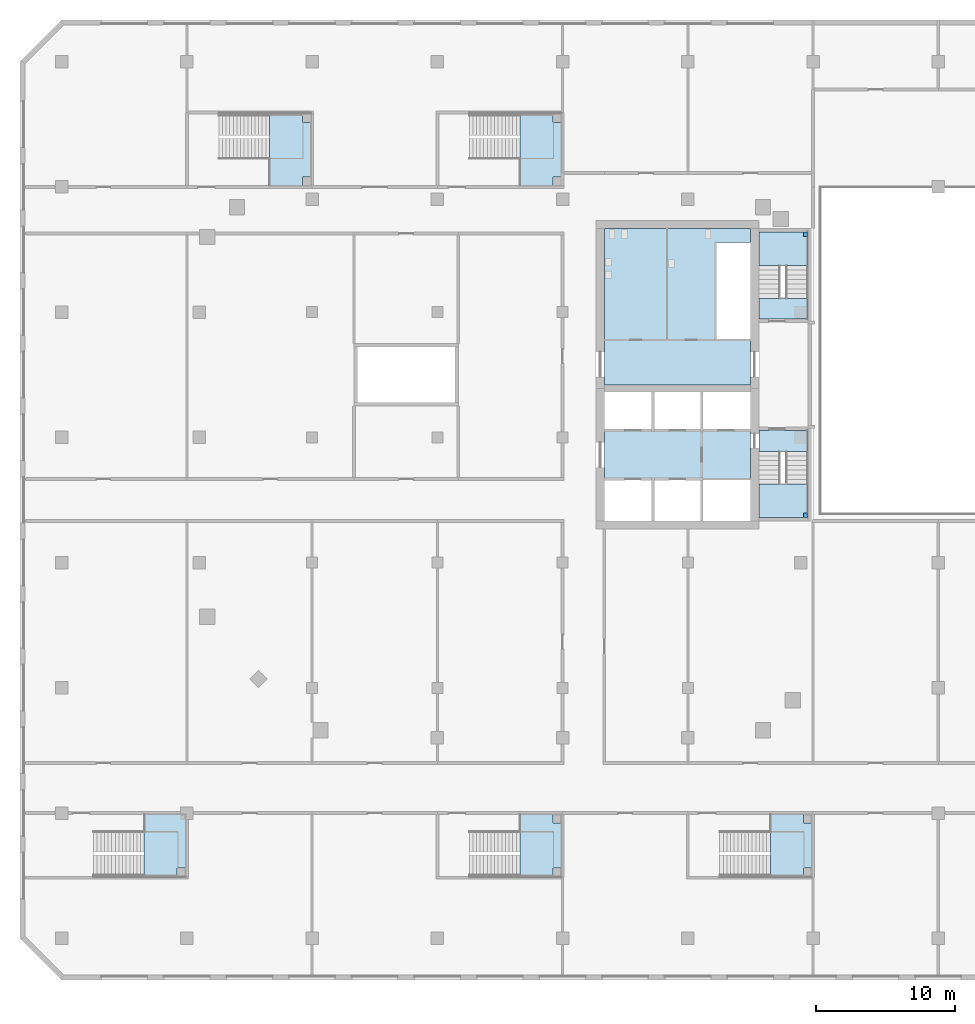
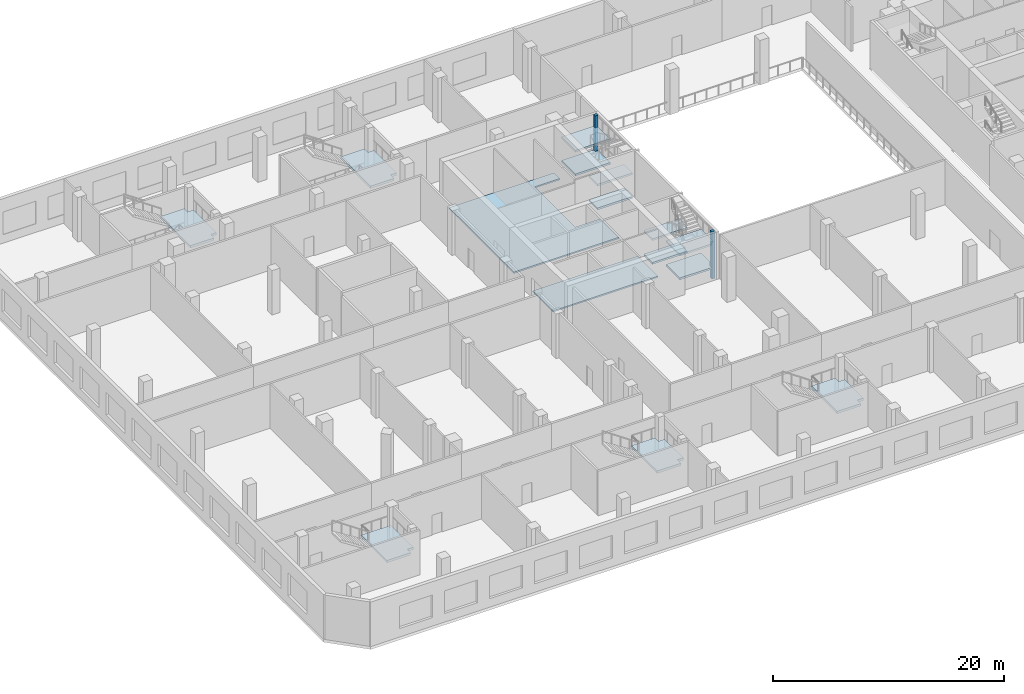
# One storey, part 2 of 21: 15 slabs, 2 members, 7 elements without a shape of their own.
"""IFC4 building model written with IfcOpenShell, lengths in metres."""

from ifc_helpers import new_model, si_unit, direction, frame, origin, origin_2d, place, context, subcontext, project, spatial, polyline, rectangle, outline, extrude, material, layer, layer_set, material_profile, profile_set, type_object, element, aggregate, save


model = new_model("IFC4")

# Units and contexts
model_context = context("Model", 3, precision=1e-05, world=origin(), true_north=direction((0.0, 1.0)))
body_context = subcontext(model_context, "Body", "Model", "MODEL_VIEW")
ifc_project = project(units=[si_unit("LENGTHUNIT", "METRE"), si_unit("AREAUNIT", "SQUARE_METRE"), si_unit("VOLUMEUNIT", "CUBIC_METRE"), si_unit("PLANEANGLEUNIT", "RADIAN"), si_unit("MASSUNIT", "GRAM", prefix="KILO")], contexts=[model_context])

# Site, building, storey
site_placement = place(None, origin())
site = spatial("IfcSite", under=ifc_project, at=site_placement, CompositionType="ELEMENT")
building_placement = place(site_placement, origin())
building = spatial("IfcBuilding", under=site, at=building_placement, Name="Cinnabar Reach Civic Tower", CompositionType="ELEMENT")
storey_placement = place(building_placement, frame((0.0, 0.0, 16.0)))
storey = spatial("IfcBuildingStorey", under=building, at=storey_placement, Name="L03", CompositionType="ELEMENT", Elevation=16.0)

# Members
ifc_material_1 = material(Name="Concrete C40", Category="concrete")
ifc_material_profile = material_profile(ifc_material_1, rectangle(XDim=0.3, YDim=0.3, at=origin_2d()), Name="C300")
ifc_profile_set = profile_set([ifc_material_profile], Name="Concrete C40")
member_type = type_object("IfcMemberType", Name="T2 stair post 300", PredefinedType="STRUT", material=ifc_profile_set)
for number, where, z_axis, x_axis, name in (
    (1, (-27.55, 21.4, 0.0), (0.0, 0.0, 1.0), (1.0, 0.0, 0.0), "Stair post 1"),
    (2, (-27.55, 41.6, 0.0), (0.0, 0.0, 1.0), (1.0, 0.0, 0.0), "Stair post 2"),
):
    element("IfcMember", number, at=place(storey_placement, frame(where, z_axis=z_axis, x_axis=x_axis)), inside=storey, type_object=member_type, Name=name, PredefinedType="STRUT", context=body_context, shape_type="SweptSolid", body=[
        extrude(rectangle(XDim=0.3, YDim=0.3, at=origin_2d()), origin(), (0.0, 0.0, 1.0), 5.0),
    ])

# Stair, slab
ifc_material_2 = material(Name="Concrete C35", Category="concrete")
stair_type_1 = type_object("IfcStairType", Name="Podium exit stair 1500", PredefinedType="HALF_TURN_STAIR", material=ifc_material_2)
stair_1_placement = place(storey_placement, origin())
stair_1 = element("IfcStair", 3, at=stair_1_placement, inside=storey, type_object=stair_type_1, Name="Stair PS1", PredefinedType="HALF_TURN_STAIR")
ifc_material_3 = material(Name="Concrete C35/45", Category="concrete")
ifc_layer_1 = layer(ifc_material_3, 0.25)
ifc_layer_set_1 = layer_set([ifc_layer_1], Name="Podium exit stair landing 250")
slab_type_1 = type_object("IfcSlabType", Name="Podium exit stair landing 250", PredefinedType="LANDING", material=ifc_layer_set_1)
slab_1_placement = place(storey_placement, frame((0.0, 0.0, 2.25)))
slab_1 = element("IfcSlab", 4, at=slab_1_placement, type_object=slab_type_1, Name="PS1 landing 1", PredefinedType="LANDING", context=body_context, shape_type="SweptSolid", body=[
    extrude(outline(polyline([(-75.07, -4.55), (-75.07, -0.1), (-72.1, -0.1), (-72.1, -3.95), (-72.7, -3.95), (-72.7, -4.55), (-75.07, -4.55)])), origin(), (0.0, 0.0, 1.0), 0.25),
])
aggregate(stair_1, [slab_1])

stair_2_placement = place(storey_placement, origin())
stair_2 = element("IfcStair", 5, at=stair_2_placement, inside=storey, type_object=stair_type_1, Name="Stair PS2", PredefinedType="HALF_TURN_STAIR")
slab_2_placement = place(storey_placement, frame((0.0, 0.0, 2.25)))
slab_2 = element("IfcSlab", 6, at=slab_2_placement, type_object=slab_type_1, Name="PS2 landing 1", PredefinedType="LANDING", context=body_context, shape_type="SweptSolid", body=[
    extrude(outline(polyline([(-63.1, 45.7), (-63.7, 45.7), (-63.7, 45.1), (-66.07, 45.1), (-66.07, 50.25), (-63.7, 50.25), (-63.7, 49.65), (-63.1, 49.65), (-63.1, 45.7)])), origin(), (0.0, 0.0, 1.0), 0.25),
])
aggregate(stair_2, [slab_2])

stair_3_placement = place(storey_placement, origin())
stair_3 = element("IfcStair", 7, at=stair_3_placement, inside=storey, type_object=stair_type_1, Name="Stair PS7", PredefinedType="HALF_TURN_STAIR")
slab_3_placement = place(storey_placement, frame((0.0, 0.0, 2.25)))
slab_3 = element("IfcSlab", 8, at=slab_3_placement, type_object=slab_type_1, Name="PS7 landing 1", PredefinedType="LANDING", context=body_context, shape_type="SweptSolid", body=[
    extrude(outline(polyline([(-45.1, 45.7), (-45.7, 45.7), (-45.7, 45.1), (-48.07, 45.1), (-48.07, 50.25), (-45.7, 50.25), (-45.7, 49.65), (-45.1, 49.65), (-45.1, 45.7)])), origin(), (0.0, 0.0, 1.0), 0.25),
])
aggregate(stair_3, [slab_3])

stair_4_placement = place(storey_placement, origin())
stair_4 = element("IfcStair", 9, at=stair_4_placement, inside=storey, type_object=stair_type_1, Name="Stair PS8", PredefinedType="HALF_TURN_STAIR")
slab_4_placement = place(storey_placement, frame((0.0, 0.0, 2.25)))
slab_4 = element("IfcSlab", 10, at=slab_4_placement, type_object=slab_type_1, Name="PS8 landing 1", PredefinedType="LANDING", context=body_context, shape_type="SweptSolid", body=[
    extrude(outline(polyline([(-45.1, -3.95), (-45.7, -3.95), (-45.7, -4.55), (-48.07, -4.55), (-48.07, -0.1), (-45.7, -0.1), (-45.7, -0.7), (-45.1, -0.7), (-45.1, -3.95)])), origin(), (0.0, 0.0, 1.0), 0.25),
])
aggregate(stair_4, [slab_4])

stair_5_placement = place(storey_placement, origin())
stair_5 = element("IfcStair", 11, at=stair_5_placement, inside=storey, type_object=stair_type_1, Name="Stair PS9", PredefinedType="HALF_TURN_STAIR")
slab_5_placement = place(storey_placement, frame((0.0, 0.0, 2.25)))
slab_5 = element("IfcSlab", 12, at=slab_5_placement, type_object=slab_type_1, Name="PS9 landing 1", PredefinedType="LANDING", context=body_context, shape_type="SweptSolid", body=[
    extrude(outline(polyline([(-27.1, -3.95), (-27.7, -3.95), (-27.7, -4.55), (-30.07, -4.55), (-30.07, -0.1), (-27.7, -0.1), (-27.7, -0.7), (-27.1, -0.7), (-27.1, -3.95)])), origin(), (0.0, 0.0, 1.0), 0.25),
])
aggregate(stair_5, [slab_5])

# Slabs
ifc_layer_2 = layer(ifc_material_1, 0.15)
ifc_layer_set_2 = layer_set([ifc_layer_2], Name="T2 Core floor slab 150")
slab_type_2 = type_object("IfcSlabType", Name="T2 Core floor slab 150", PredefinedType="FLOOR", material=ifc_layer_set_2)
slab_6_placement = place(storey_placement, frame((0.0, 0.0, -0.15)))
element("IfcSlab", 13, at=slab_6_placement, inside=storey, type_object=slab_type_2, Name="Core floor slab L03", PredefinedType="FLOOR", context=body_context, shape_type="SweptSolid", body=[
    extrude(outline(polyline([(-42.0, 42.0), (-31.5, 42.0), (-31.5, 41.0), (-34.0, 41.0), (-34.0, 34.0), (-31.5, 34.0), (-31.5, 30.75), (-42.0, 30.75), (-42.0, 42.0)])), origin(), (0.0, 0.0, 1.0), 0.15),
])
slab_7_placement = place(storey_placement, frame((0.0, 0.0, -0.15)))
element("IfcSlab", 14, at=slab_7_placement, inside=storey, type_object=slab_type_2, Name="Core floor slab L03", PredefinedType="FLOOR", context=body_context, shape_type="SweptSolid", body=[
    extrude(outline(polyline([(-35.0, 24.0), (-38.5, 24.0), (-42.0, 24.0), (-42.0, 27.5), (-38.5, 27.5), (-35.0, 27.5), (-31.5, 27.5), (-31.5, 24.0), (-35.0, 24.0)])), origin(), (0.0, 0.0, 1.0), 0.15),
])

# Stair, slabs
stair_type_2 = type_object("IfcStairType", Name="T2 Exit stair 1500", PredefinedType="HALF_TURN_STAIR", material=ifc_material_1)
stair_6_placement = place(storey_placement, origin())
stair_6 = element("IfcStair", 15, at=stair_6_placement, inside=storey, type_object=stair_type_2, Name="Exit stair 1", PredefinedType="HALF_TURN_STAIR")
ifc_layer_3 = layer(ifc_material_1, 0.2)
ifc_layer_set_3 = layer_set([ifc_layer_3], Name="T2 Stair landing 200")
slab_type_3 = type_object("IfcSlabType", Name="T2 Stair landing 200", PredefinedType="LANDING", material=ifc_layer_set_3)
slab_8_placement = place(storey_placement, frame((0.0, 0.0, -0.2)))
slab_8 = element("IfcSlab", 16, at=slab_8_placement, type_object=slab_type_3, Name="ST1 landing 1", PredefinedType="LANDING", context=body_context, shape_type="SweptSolid", body=[
    extrude(outline(polyline([(-30.9, 26.0), (-30.9, 27.5), (-27.4, 27.5), (-27.4, 26.0), (-30.9, 26.0)])), origin(), (0.0, 0.0, 1.0), 0.2),
])
slab_9_placement = place(storey_placement, frame((0.0, 0.0, 1.05)))
slab_9 = element("IfcSlab", 17, at=slab_9_placement, type_object=slab_type_3, Name="ST1 landing 2", PredefinedType="LANDING", context=body_context, shape_type="SweptSolid", body=[
    extrude(outline(polyline([(-30.9, 21.25), (-30.9, 23.6375), (-27.4, 23.6375), (-27.4, 21.55), (-27.7, 21.55), (-27.7, 21.25), (-30.9, 21.25)])), origin(), (0.0, 0.0, 1.0), 0.2),
])
slab_10_placement = place(storey_placement, frame((0.0, 0.0, 2.3)))
slab_10 = element("IfcSlab", 18, at=slab_10_placement, type_object=slab_type_3, Name="ST1 landing 3", PredefinedType="LANDING", context=body_context, shape_type="SweptSolid", body=[
    extrude(outline(polyline([(-30.9, 26.0), (-30.9, 27.5), (-27.4, 27.5), (-27.4, 26.0), (-30.9, 26.0)])), origin(), (0.0, 0.0, 1.0), 0.2),
])
slab_11_placement = place(storey_placement, frame((0.0, 0.0, 3.55)))
slab_11 = element("IfcSlab", 19, at=slab_11_placement, type_object=slab_type_3, Name="ST1 landing 4", PredefinedType="LANDING", context=body_context, shape_type="SweptSolid", body=[
    extrude(outline(polyline([(-30.9, 21.25), (-30.9, 23.6375), (-27.4, 23.6375), (-27.4, 21.55), (-27.7, 21.55), (-27.7, 21.25), (-30.9, 21.25)])), origin(), (0.0, 0.0, 1.0), 0.2),
])
aggregate(stair_6, [slab_8, slab_9, slab_10, slab_11])

stair_7_placement = place(storey_placement, origin())
stair_7 = element("IfcStair", 20, at=stair_7_placement, inside=storey, type_object=stair_type_2, Name="Exit stair 2", PredefinedType="HALF_TURN_STAIR")
slab_12_placement = place(storey_placement, frame((0.0, 0.0, -0.2)))
slab_12 = element("IfcSlab", 21, at=slab_12_placement, type_object=slab_type_3, Name="ST2 landing 1", PredefinedType="LANDING", context=body_context, shape_type="SweptSolid", body=[
    extrude(outline(polyline([(-30.9, 35.5), (-30.9, 37.0), (-27.4, 37.0), (-27.4, 35.5), (-30.9, 35.5)])), origin(), (0.0, 0.0, 1.0), 0.2),
])
slab_13_placement = place(storey_placement, frame((0.0, 0.0, 1.05)))
slab_13 = element("IfcSlab", 22, at=slab_13_placement, type_object=slab_type_3, Name="ST2 landing 2", PredefinedType="LANDING", context=body_context, shape_type="SweptSolid", body=[
    extrude(outline(polyline([(-27.4, 39.3625), (-30.9, 39.3625), (-30.9, 41.75), (-27.7, 41.75), (-27.7, 41.45), (-27.4, 41.45), (-27.4, 39.3625)])), origin(), (0.0, 0.0, 1.0), 0.2),
])
slab_14_placement = place(storey_placement, frame((0.0, 0.0, 2.3)))
slab_14 = element("IfcSlab", 23, at=slab_14_placement, type_object=slab_type_3, Name="ST2 landing 3", PredefinedType="LANDING", context=body_context, shape_type="SweptSolid", body=[
    extrude(outline(polyline([(-30.9, 35.5), (-30.9, 37.0), (-27.4, 37.0), (-27.4, 35.5), (-30.9, 35.5)])), origin(), (0.0, 0.0, 1.0), 0.2),
])
slab_15_placement = place(storey_placement, frame((0.0, 0.0, 3.55)))
slab_15 = element("IfcSlab", 24, at=slab_15_placement, type_object=slab_type_3, Name="ST2 landing 4", PredefinedType="LANDING", context=body_context, shape_type="SweptSolid", body=[
    extrude(outline(polyline([(-27.4, 39.3625), (-30.9, 39.3625), (-30.9, 41.75), (-27.7, 41.75), (-27.7, 41.45), (-27.4, 41.45), (-27.4, 39.3625)])), origin(), (0.0, 0.0, 1.0), 0.2),
])
aggregate(stair_7, [slab_12, slab_13, slab_14, slab_15])

save(model, "model.ifc")
